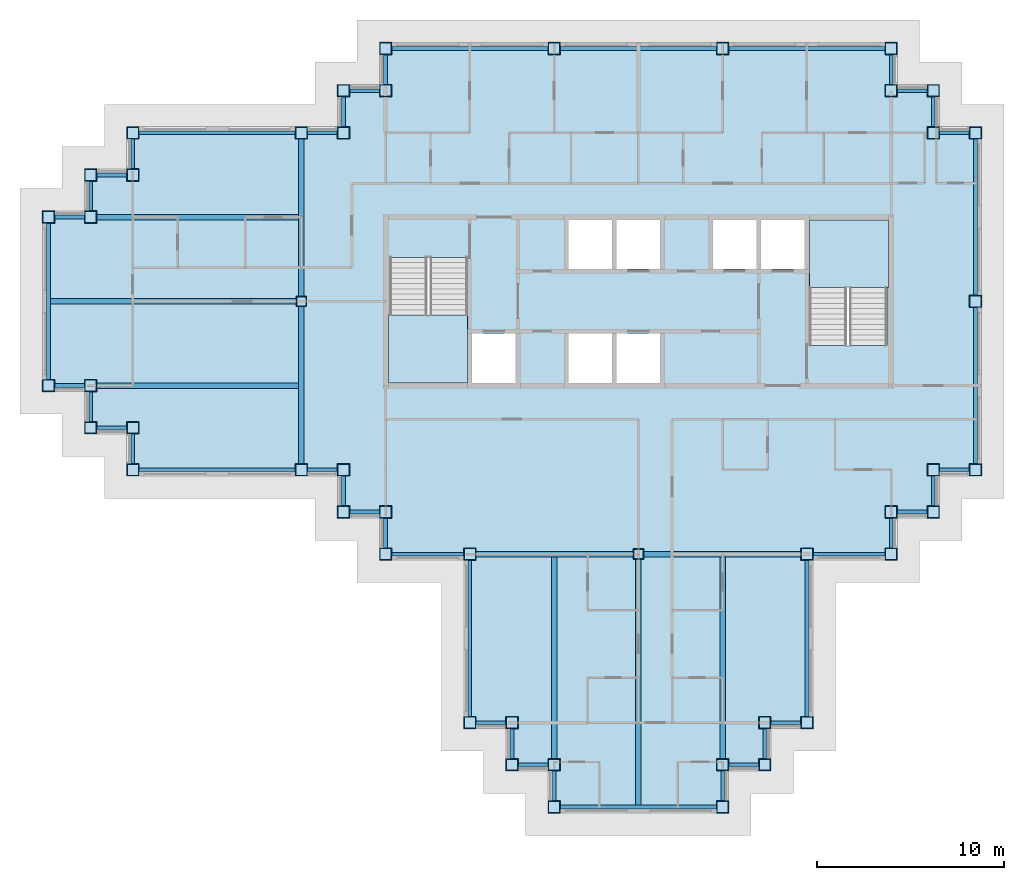
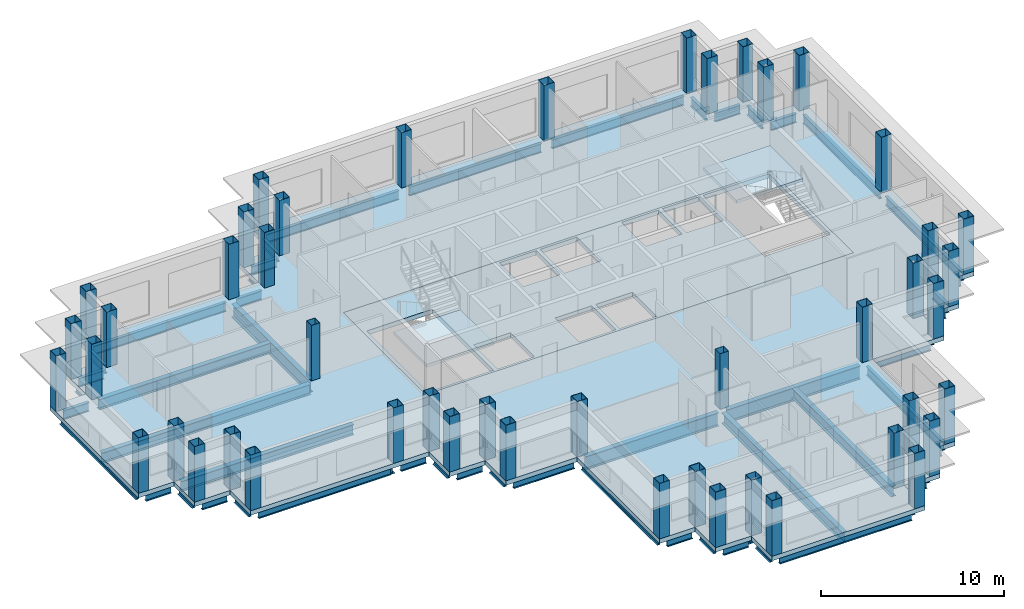
# One storey, part 1 of 12: 55 beams, 47 columns, 4 slabs, 2 elements without a shape of their own.
"""IFC4 building model written with IfcOpenShell, lengths in metres."""

import ifcopenshell
import ifcopenshell.guid

model = None  # the IFC model being written
_history = None  # IfcOwnerHistory: only IFC2X3 demands one
_inside = {}  # id of a spatial element -> (the spatial element, [elements in it])
_under = {}  # id of a project, library or spatial element -> (it, [spatial elements below it])
_declared = {}  # id of a project -> (the project, [libraries it declares])
_typed = {}  # id of a type object -> (the type object, [elements of that type])
_made_of = {}  # id of a material, layer set ... -> (it, [elements and type objects made of it])


def new_model(schema):
    """Start an empty IFC model of exactly this schema.

    Asked for "IFC4X3", IfcOpenShell would pick the latest addendum, in which some entities
    have other attributes; the version numbers below select the first issue.
    IFC2X3 requires an IfcOwnerHistory on every rooted entity: one is made here for all.
    """
    global model, _history
    if schema == "IFC4X3":
        model = ifcopenshell.file(schema_version=(4, 3, 0, 0))
    else:
        model = ifcopenshell.file(schema=schema)
    _inside.clear()
    _under.clear()
    _declared.clear()
    _typed.clear()
    _made_of.clear()
    _history = None
    if model.schema == "IFC2X3":
        org = make("IfcOrganization", Name="unknown")
        user = make(
            "IfcPersonAndOrganization",
            ThePerson=make("IfcPerson", FamilyName="unknown"),
            TheOrganization=org,
        )
        app = make(
            "IfcApplication",
            ApplicationDeveloper=org,
            Version="unknown",
            ApplicationFullName="unknown",
            ApplicationIdentifier="unknown",
        )
        _history = make(
            "IfcOwnerHistory",
            OwningUser=user,
            OwningApplication=app,
            ChangeAction="ADDED",
            CreationDate=0,
        )
    return model


def make(cls, **values):
    """One entity of the class cls with the attributes given. An attribute that is None is left unset."""
    return model.create_entity(
        cls, **{name: value for name, value in values.items() if value is not None}
    )


def rooted(cls, **values):
    """An entity with a GlobalId (a new one), such as an element, a storey or a relation."""
    return make(cls, GlobalId=ifcopenshell.guid.new(), OwnerHistory=_history, **values)


def si_unit(unit_type, name, prefix=None):
    """IfcSIUnit, for example si_unit("LENGTHUNIT", "METRE", prefix="MILLI")."""
    return make("IfcSIUnit", UnitType=unit_type, Prefix=prefix, Name=name)


def assignment(units):
    """IfcUnitAssignment: the units of a project."""
    return None if units is None else make("IfcUnitAssignment", Units=units)


def point(xyz):
    """IfcCartesianPoint."""
    return None if xyz is None else make("IfcCartesianPoint", Coordinates=xyz)


def direction(xyz):
    """IfcDirection."""
    return None if xyz is None else make("IfcDirection", DirectionRatios=xyz)


def frame(location, z_axis=None, x_axis=None):
    """IfcAxis2Placement3D, a coordinate frame: its origin and axes. An axis left out is left unset."""
    return make(
        "IfcAxis2Placement3D",
        Location=point(location),
        Axis=direction(z_axis),
        RefDirection=direction(x_axis),
    )


def frame_2d(location, x_axis=None):
    """IfcAxis2Placement2D, a coordinate frame in the plane: its origin and x axis."""
    return make(
        "IfcAxis2Placement2D", Location=point(location), RefDirection=direction(x_axis)
    )


def origin():
    """The frame at (0, 0, 0) with its axes left unset."""
    return frame((0.0, 0.0, 0.0))


def origin_2d():
    """The frame at (0, 0) in the plane with its x axis left unset."""
    return frame_2d((0.0, 0.0))


def place(relative_to, where):
    """IfcLocalPlacement: puts the frame where relative to a parent placement (None: the world)."""
    return make(
        "IfcLocalPlacement", PlacementRelTo=relative_to, RelativePlacement=where
    )


def context(
    kind, dimensions, precision=None, world=None, true_north=None, identifier=None
):
    """IfcGeometricRepresentationContext, for example the 3D "Model" context."""
    return make(
        "IfcGeometricRepresentationContext",
        ContextIdentifier=identifier,
        ContextType=kind,
        CoordinateSpaceDimension=dimensions,
        Precision=precision,
        WorldCoordinateSystem=world,
        TrueNorth=true_north,
    )


def subcontext(parent, identifier, kind, view, scale=None):
    """IfcGeometricRepresentationSubContext, for example "Body" below "Model"."""
    return make(
        "IfcGeometricRepresentationSubContext",
        ContextIdentifier=identifier,
        ContextType=kind,
        ParentContext=parent,
        TargetScale=scale,
        TargetView=view,
    )


def project(units=None, contexts=None):
    """IfcProject with its units and contexts."""
    return rooted(
        "IfcProject",
        Name="project",
        RepresentationContexts=contexts,
        UnitsInContext=assignment(units),
    )


def spatial(cls, under=None, at=None, **own):
    """A site, building, storey or space (cls), placed at a placement, below another one or the project."""
    s = rooted(cls, ObjectPlacement=at, **own)
    if under is not None:
        _under.setdefault(under.id(), (under, []))[1].append(s)
    return s


def polyline(points):
    """IfcPolyline through the points."""
    return make("IfcPolyline", Points=[point(p) for p in points])


def profile(cls, at=None, kind="AREA", **sizes):
    """A parametric profile (cls). Its sizes go by their IFC names, for example OverallWidth=200.0."""
    return make(cls, ProfileType=kind, Position=at, **sizes)


def hollow_rectangle(**sizes):
    """IfcRectangleHollowProfileDef."""
    return profile("IfcRectangleHollowProfileDef", **sizes)


def i_section(**sizes):
    """IfcIShapeProfileDef."""
    return profile("IfcIShapeProfileDef", **sizes)


def outline(outer, holes=None, kind="AREA"):
    """IfcArbitraryClosedProfileDef: a profile drawn as a closed curve; with holes, ...WithVoids."""
    if holes is None:
        return make("IfcArbitraryClosedProfileDef", ProfileType=kind, OuterCurve=outer)
    return make(
        "IfcArbitraryProfileDefWithVoids",
        ProfileType=kind,
        OuterCurve=outer,
        InnerCurves=holes,
    )


def extrude(swept, where, along, depth):
    """IfcExtrudedAreaSolid: the profile swept, set in the frame where, extruded along a direction by depth."""
    return make(
        "IfcExtrudedAreaSolid",
        SweptArea=swept,
        Position=where,
        ExtrudedDirection=direction(along),
        Depth=depth,
    )


def shape(context_of_items, identifier, shape_type, items):
    """IfcShapeRepresentation: the items that make up one representation, for example the "Body"."""
    return make(
        "IfcShapeRepresentation",
        ContextOfItems=context_of_items,
        RepresentationIdentifier=identifier,
        RepresentationType=shape_type,
        Items=items,
    )


def material(Name=None, Category=None):
    """IfcMaterial."""
    return make("IfcMaterial", Name=Name, Category=Category)


def layer(
    of_material, thickness, ventilated=None, Name=None, Category=None, Priority=None
):
    """IfcMaterialLayer: one layer of a wall or slab, of a material (None: an air gap)."""
    return make(
        "IfcMaterialLayer",
        Material=of_material,
        LayerThickness=thickness,
        IsVentilated=ventilated,
        Name=Name,
        Category=Category,
        Priority=Priority,
    )


def layer_set(layers, Name=None):
    """IfcMaterialLayerSet."""
    return make("IfcMaterialLayerSet", MaterialLayers=layers, LayerSetName=Name)


def material_profile(
    of_material, cross_section, Name=None, Category=None, Priority=None
):
    """IfcMaterialProfile: a cross section and its material."""
    return make(
        "IfcMaterialProfile",
        Name=Name,
        Material=of_material,
        Profile=cross_section,
        Priority=Priority,
        Category=Category,
    )


def profile_set(profiles, Name=None, composite=None):
    """IfcMaterialProfileSet."""
    return make(
        "IfcMaterialProfileSet",
        Name=Name,
        MaterialProfiles=profiles,
        CompositeProfile=composite,
    )


def made_of(thing, what):
    """Note that an element or type object is made of a material, layer set ...; save() writes the relation."""
    if what is not None:
        _made_of.setdefault(what.id(), (what, []))[1].append(thing)
    return thing


def type_object(cls, material=None, **own):
    """A type object (cls), such as IfcWallType, which elements share."""
    return made_of(rooted(cls, **own), material)


def element(
    cls,
    number,
    at=None,
    inside=None,
    cuts=None,
    type_object=None,
    material=None,
    context=None,
    identifier="Body",
    shape_type=None,
    held_by="IfcProductDefinitionShape",
    body=None,
    shapes=None,
    **own,
):
    """One element of the class cls, such as IfcWall. Its Tag is "e" and its number.

    at: its placement. inside: the storey or other place that contains it. cuts: it is an
    opening in that element (IfcRelVoidsElement). A single representation is given by context,
    identifier, shape_type and body (its items); several are given by shapes. held_by: the class
    of the entity that holds the representations. save() writes the other relations.
    """
    e = rooted(cls, Tag="e%d" % number, ObjectPlacement=at, **own)
    if body is not None:
        shapes = [shape(context, identifier, shape_type, body)]
    if shapes is not None:
        e.Representation = make(held_by, Representations=shapes)
    if inside is not None:
        _inside.setdefault(inside.id(), (inside, []))[1].append(e)
    if cuts is not None:
        rooted(
            "IfcRelVoidsElement", RelatingBuildingElement=cuts, RelatedOpeningElement=e
        )
    if type_object is not None:
        _typed.setdefault(type_object.id(), (type_object, []))[1].append(e)
    return made_of(e, material)


def aggregate(whole, parts):
    """IfcRelAggregates: a whole, such as a stair, and the parts it consists of."""
    return rooted("IfcRelAggregates", RelatingObject=whole, RelatedObjects=parts)


def save(model, path):
    """Write the relations noted so far, then the file.

    IfcRelAggregates (storeys below a building ...), IfcRelContainedInSpatialStructure (elements
    in a storey), IfcRelDefinesByType, IfcRelAssociatesMaterial and IfcRelDeclares: one each for
    every whole, place, type object, material and project.
    """
    for whole, parts in _under.values():
        aggregate(whole, parts)
    for where, things in _inside.values():
        rooted(
            "IfcRelContainedInSpatialStructure",
            RelatedElements=things,
            RelatingStructure=where,
        )
    for kind, things in _typed.values():
        rooted("IfcRelDefinesByType", RelatedObjects=things, RelatingType=kind)
    for what, things in _made_of.values():
        rooted("IfcRelAssociatesMaterial", RelatedObjects=things, RelatingMaterial=what)
    for by, libraries in _declared.values():
        rooted("IfcRelDeclares", RelatingContext=by, RelatedDefinitions=libraries)
    model.write(path)


model = new_model("IFC4")

# Units and contexts
model_context = context("Model", 3, precision=1e-05, world=origin(), true_north=direction((0.0, 1.0)))
body_context = subcontext(model_context, "Body", "Model", "MODEL_VIEW")
ifc_project = project(units=[si_unit("LENGTHUNIT", "METRE"), si_unit("AREAUNIT", "SQUARE_METRE"), si_unit("VOLUMEUNIT", "CUBIC_METRE"), si_unit("PLANEANGLEUNIT", "RADIAN"), si_unit("MASSUNIT", "GRAM", prefix="KILO")], contexts=[model_context])

# Site, building, storey
site_placement = place(None, origin())
site = spatial("IfcSite", under=ifc_project, at=site_placement, CompositionType="ELEMENT")
building_placement = place(site_placement, origin())
building = spatial("IfcBuilding", under=site, at=building_placement, Name="Caravel Reach Hotel and Residences", CompositionType="ELEMENT")
storey_placement = place(building_placement, frame((0.0, 0.0, 214.60009765625)))
storey = spatial("IfcBuildingStorey", under=building, at=storey_placement, Name="L54", CompositionType="ELEMENT", Elevation=214.60009765625)

# Columns
ifc_material_1 = material(Name="Concrete-filled steel tube Q390B with Concrete C60 infill", Category="concrete")
ifc_material_profile_1 = material_profile(ifc_material_1, hollow_rectangle(XDim=0.550048828125, YDim=0.550048828125, WallThickness=0.01806640625, at=origin_2d()), Name="RHS 550x550x18")
ifc_profile_set_1 = profile_set([ifc_material_profile_1], Name="Concrete-filled steel tube Q390B with Concrete C60 infill")
column_type_1 = type_object("IfcColumnType", Name="CFT 550x550 Q390B C60", PredefinedType="COLUMN", material=ifc_profile_set_1)
for number, where, z_axis, x_axis, name in (
    (1, (31.5, 13.5, 0.0), (0.0, 0.0, 1.0), (1.0, 0.0, 0.0), "C18 column"),
    (2, (13.5, 27.0, 0.0), (0.0, 0.0, 1.0), (1.0, 0.0, 0.0), "C18 column"),
):
    element("IfcColumn", number, at=place(storey_placement, frame(where, z_axis=z_axis, x_axis=x_axis)), inside=storey, type_object=column_type_1, Name=name, PredefinedType="COLUMN", context=body_context, shape_type="SweptSolid", body=[
        extrude(hollow_rectangle(XDim=0.550048828125, YDim=0.550048828125, WallThickness=0.01806640625, at=origin_2d()), origin(), (0.0, 0.0, 1.0), 3.699951171875),
    ])
ifc_material_2 = material(Name="Concrete-filled steel tube Q390B with Concrete C60 infill", Category="concrete")
ifc_material_profile_2 = material_profile(ifc_material_2, hollow_rectangle(XDim=0.64990234375, YDim=0.64990234375, WallThickness=0.02099609375, at=origin_2d()), Name="RHS 650x650x21")
ifc_profile_set_2 = profile_set([ifc_material_profile_2], Name="Concrete-filled steel tube Q390B with Concrete C60 infill")
column_type_2 = type_object("IfcColumnType", Name="CFT 650x650 Q390B C60", PredefinedType="COLUMN", material=ifc_profile_set_2)
for number, where, z_axis, x_axis, name in (
    (3, (40.5, 13.5, 0.0), (0.0, 0.0, 1.0), (1.0, 0.0, 0.0), "C15 column"),
    (4, (45.0, 13.5, 0.0), (0.0, 0.0, 1.0), (1.0, 0.0, 0.0), "C15 column"),
    (5, (45.0, 15.75, 0.0), (0.0, 0.0, 1.0), (1.0, 0.0, 0.0), "C15 column"),
    (6, (47.25, 15.75, 0.0), (0.0, 0.0, 1.0), (1.0, 0.0, 0.0), "C15 column"),
    (7, (47.25, 18.0, 0.0), (0.0, 0.0, 1.0), (1.0, 0.0, 0.0), "C15 column"),
    (8, (49.5, 18.0, 0.0), (0.0, 0.0, 1.0), (1.0, 0.0, 0.0), "C15 column"),
    (9, (49.5, 27.0, 0.0), (0.0, 0.0, 1.0), (1.0, 0.0, 0.0), "C15 column"),
    (10, (49.5, 36.0, 0.0), (0.0, 0.0, 1.0), (1.0, 0.0, 0.0), "C15 column"),
    (11, (47.25, 36.0, 0.0), (0.0, 0.0, 1.0), (1.0, 0.0, 0.0), "C15 column"),
    (12, (47.25, 38.25, 0.0), (0.0, 0.0, 1.0), (1.0, 0.0, 0.0), "C15 column"),
    (13, (45.0, 38.25, 0.0), (0.0, 0.0, 1.0), (1.0, 0.0, 0.0), "C15 column"),
    (14, (45.0, 40.5, 0.0), (0.0, 0.0, 1.0), (1.0, 0.0, 0.0), "C15 column"),
    (15, (36.0, 40.5, 0.0), (0.0, 0.0, 1.0), (1.0, 0.0, 0.0), "C15 column"),
    (16, (27.0, 40.5, 0.0), (0.0, 0.0, 1.0), (1.0, 0.0, 0.0), "C15 column"),
    (17, (18.0, 40.5, 0.0), (0.0, 0.0, 1.0), (1.0, 0.0, 0.0), "C15 column"),
    (18, (18.0, 38.25, 0.0), (0.0, 0.0, 1.0), (1.0, 0.0, 0.0), "C15 column"),
    (19, (15.75, 38.25, 0.0), (0.0, 0.0, 1.0), (1.0, 0.0, 0.0), "C15 column"),
    (20, (15.75, 36.0, 0.0), (0.0, 0.0, 1.0), (1.0, 0.0, 0.0), "C15 column"),
    (21, (13.5, 36.0, 0.0), (0.0, 0.0, 1.0), (1.0, 0.0, 0.0), "C15 column"),
    (22, (4.5, 36.0, 0.0), (0.0, 0.0, 1.0), (1.0, 0.0, 0.0), "C15 column"),
    (23, (4.5, 33.75, 0.0), (0.0, 0.0, 1.0), (1.0, 0.0, 0.0), "C15 column"),
    (24, (2.25, 33.75, 0.0), (0.0, 0.0, 1.0), (1.0, 0.0, 0.0), "C15 column"),
    (25, (2.25, 31.5, 0.0), (0.0, 0.0, 1.0), (1.0, 0.0, 0.0), "C15 column"),
    (26, (0.0, 31.5, 0.0), (0.0, 0.0, 1.0), (1.0, 0.0, 0.0), "C15 column"),
    (27, (0.0, 22.5, 0.0), (0.0, 0.0, 1.0), (1.0, 0.0, 0.0), "C15 column"),
    (28, (2.25, 22.5, 0.0), (0.0, 0.0, 1.0), (1.0, 0.0, 0.0), "C15 column"),
    (29, (2.25, 20.25, 0.0), (0.0, 0.0, 1.0), (1.0, 0.0, 0.0), "C15 column"),
    (30, (4.5, 20.25, 0.0), (0.0, 0.0, 1.0), (1.0, 0.0, 0.0), "C15 column"),
    (31, (4.5, 18.0, 0.0), (0.0, 0.0, 1.0), (1.0, 0.0, 0.0), "C15 column"),
    (32, (13.5, 18.0, 0.0), (0.0, 0.0, 1.0), (1.0, 0.0, 0.0), "C15 column"),
    (33, (15.75, 18.0, 0.0), (0.0, 0.0, 1.0), (1.0, 0.0, 0.0), "C15 column"),
    (34, (15.75, 15.75, 0.0), (0.0, 0.0, 1.0), (1.0, 0.0, 0.0), "C15 column"),
    (35, (18.0, 15.75, 0.0), (0.0, 0.0, 1.0), (1.0, 0.0, 0.0), "C15 column"),
    (36, (18.0, 13.5, 0.0), (0.0, 0.0, 1.0), (1.0, 0.0, 0.0), "C15 column"),
    (37, (22.5, 13.5, 0.0), (0.0, 0.0, 1.0), (1.0, 0.0, 0.0), "C15 column"),
    (38, (22.5, 4.5, 0.0), (0.0, 0.0, 1.0), (1.0, 0.0, 0.0), "C15 column"),
    (39, (24.75, 4.5, 0.0), (0.0, 0.0, 1.0), (1.0, 0.0, 0.0), "C15 column"),
    (40, (24.75, 2.25, 0.0), (0.0, 0.0, 1.0), (1.0, 0.0, 0.0), "C15 column"),
    (41, (27.0, 2.25, 0.0), (0.0, 0.0, 1.0), (1.0, 0.0, 0.0), "C15 column"),
    (42, (27.0, 0.0, 0.0), (0.0, 0.0, 1.0), (1.0, 0.0, 0.0), "C15 column"),
    (43, (36.0, 0.0, 0.0), (0.0, 0.0, 1.0), (1.0, 0.0, 0.0), "C15 column"),
    (44, (36.0, 2.25, 0.0), (0.0, 0.0, 1.0), (1.0, 0.0, 0.0), "C15 column"),
    (45, (38.25, 2.25, 0.0), (0.0, 0.0, 1.0), (1.0, 0.0, 0.0), "C15 column"),
    (46, (38.25, 4.5, 0.0), (0.0, 0.0, 1.0), (1.0, 0.0, 0.0), "C15 column"),
    (47, (40.5, 4.5, 0.0), (0.0, 0.0, 1.0), (1.0, 0.0, 0.0), "C15 column"),
):
    element("IfcColumn", number, at=place(storey_placement, frame(where, z_axis=z_axis, x_axis=x_axis)), inside=storey, type_object=column_type_2, Name=name, PredefinedType="COLUMN", context=body_context, shape_type="SweptSolid", body=[
        extrude(hollow_rectangle(XDim=0.64990234375, YDim=0.64990234375, WallThickness=0.02099609375, at=origin_2d()), origin(), (0.0, 0.0, 1.0), 3.699951171875),
    ])

# Beams
ifc_material_3 = material(Name="Structural steel Q355B", Category="steel")
ifc_material_profile_3 = material_profile(ifc_material_3, i_section(OverallWidth=0.300048828125, OverallDepth=0.699951171875, WebThickness=0.012939453125, FlangeThickness=0.02392578125, FilletRadius=0.01806640625, at=origin_2d()), Name="HN 700x300x13x24")
ifc_profile_set_3 = profile_set([ifc_material_profile_3], Name="Structural steel Q355B")
beam_type_1 = type_object("IfcBeamType", Name="Beam HN 700x300x13x24", PredefinedType="BEAM", material=ifc_profile_set_3)
beam_1_placement = place(storey_placement, frame((27.0, 13.39990234375, -0.650146484375), z_axis=(0.0, -1.0, 0.0), x_axis=(1.0, 0.0, 0.0)))
element("IfcBeam", 48, at=beam_1_placement, inside=storey, type_object=beam_type_1, Name="B2 HN 700x300x13x24", PredefinedType="BEAM", context=body_context, shape_type="SweptSolid", body=[
    extrude(i_section(OverallWidth=0.300048828125, OverallDepth=0.699951171875, WebThickness=0.012939453125, FlangeThickness=0.02392578125, FilletRadius=0.01806640625, at=origin_2d()), origin(), (0.0, 0.0, 1.0), 10.875),
])
beam_2_placement = place(storey_placement, frame((31.5, 13.27490234375, -0.650146484375), z_axis=(0.0, -1.0, 0.0), x_axis=(1.0, 0.0, 0.0)))
element("IfcBeam", 49, at=beam_2_placement, inside=storey, type_object=beam_type_1, Name="B2 HN 700x300x13x24", PredefinedType="BEAM", context=body_context, shape_type="SweptSolid", body=[
    extrude(i_section(OverallWidth=0.300048828125, OverallDepth=0.699951171875, WebThickness=0.012939453125, FlangeThickness=0.02392578125, FilletRadius=0.01806640625, at=origin_2d()), origin(), (0.0, 0.0, 1.0), 13.1748046875),
])
for number, where, z_axis, x_axis, name in (
    (50, (36.0, 13.39990234375, -0.650146484375), (0.0, -1.0, 0.0), (1.0, 0.0, 0.0), "B2 HN 700x300x13x24"),
    (51, (13.39990234375, 22.5, -0.650146484375), (-1.0, 0.0, 0.0), (0.0, -1.0, 0.0), "B2 HN 700x300x13x24"),
):
    element("IfcBeam", number, at=place(storey_placement, frame(where, z_axis=z_axis, x_axis=x_axis)), inside=storey, type_object=beam_type_1, Name=name, PredefinedType="BEAM", context=body_context, shape_type="SweptSolid", body=[
        extrude(i_section(OverallWidth=0.300048828125, OverallDepth=0.699951171875, WebThickness=0.012939453125, FlangeThickness=0.02392578125, FilletRadius=0.01806640625, at=origin_2d()), origin(), (0.0, 0.0, 1.0), 10.875),
    ])
beam_3_placement = place(storey_placement, frame((13.27490234375, 27.0, -0.650146484375), z_axis=(-1.0, 0.0, 0.0), x_axis=(0.0, -1.0, 0.0)))
element("IfcBeam", 52, at=beam_3_placement, inside=storey, type_object=beam_type_1, Name="B2 HN 700x300x13x24", PredefinedType="BEAM", context=body_context, shape_type="SweptSolid", body=[
    extrude(i_section(OverallWidth=0.300048828125, OverallDepth=0.699951171875, WebThickness=0.012939453125, FlangeThickness=0.02392578125, FilletRadius=0.01806640625, at=origin_2d()), origin(), (0.0, 0.0, 1.0), 13.1748046875),
])
beam_4_placement = place(storey_placement, frame((13.39990234375, 31.5, -0.650146484375), z_axis=(-1.0, 0.0, 0.0), x_axis=(0.0, -1.0, 0.0)))
element("IfcBeam", 53, at=beam_4_placement, inside=storey, type_object=beam_type_1, Name="B2 HN 700x300x13x24", PredefinedType="BEAM", context=body_context, shape_type="SweptSolid", body=[
    extrude(i_section(OverallWidth=0.300048828125, OverallDepth=0.699951171875, WebThickness=0.012939453125, FlangeThickness=0.02392578125, FilletRadius=0.01806640625, at=origin_2d()), origin(), (0.0, 0.0, 1.0), 10.875),
])
ifc_material_4 = material(Name="Structural steel Q355B", Category="steel")
ifc_material_profile_4 = material_profile(ifc_material_4, i_section(OverallWidth=0.300048828125, OverallDepth=0.89990234375, WebThickness=0.01611328125, FlangeThickness=0.028076171875, FilletRadius=0.01806640625, at=origin_2d()), Name="HN 900x300x16x28")
ifc_profile_set_4 = profile_set([ifc_material_profile_4], Name="Structural steel Q355B")
beam_type_2 = type_object("IfcBeamType", Name="Beam HN 900x300x16x28", PredefinedType="BEAM", material=ifc_profile_set_4)
for number, where, z_axis, x_axis, name in (
    (54, (22.824951171875, 13.5, -0.75), (1.0, 0.0, 0.0), (0.0, 1.0, 0.0), "B3 HN 900x300x16x28"),
    (55, (31.77490234375, 13.5, -0.75), (1.0, 0.0, 0.0), (0.0, 1.0, 0.0), "B3 HN 900x300x16x28"),
    (56, (13.5, 18.324951171875, -0.75), (0.0, 1.0, 0.0), (-1.0, 0.0, 0.0), "B3 HN 900x300x16x28"),
    (57, (13.5, 27.27490234375, -0.75), (0.0, 1.0, 0.0), (-1.0, 0.0, 0.0), "B3 HN 900x300x16x28"),
):
    element("IfcBeam", number, at=place(storey_placement, frame(where, z_axis=z_axis, x_axis=x_axis)), inside=storey, type_object=beam_type_2, Name=name, PredefinedType="BEAM", context=body_context, shape_type="SweptSolid", body=[
        extrude(i_section(OverallWidth=0.300048828125, OverallDepth=0.89990234375, WebThickness=0.01611328125, FlangeThickness=0.028076171875, FilletRadius=0.01806640625, at=origin_2d()), origin(), (0.0, 0.0, 1.0), 8.400146484375),
    ])
ifc_material_5 = material(Name="Structural steel Q355B", Category="steel")
ifc_material_profile_5 = material_profile(ifc_material_5, i_section(OverallWidth=0.199951171875, OverallDepth=0.60009765625, WebThickness=0.010986328125, FlangeThickness=0.01708984375, FilletRadius=0.012939453125, at=origin_2d()), Name="HN 600x200x11x17")
ifc_profile_set_5 = profile_set([ifc_material_profile_5], Name="Structural steel Q355B")
beam_type_3 = type_object("IfcBeamType", Name="Spandrel beam HN 600x200x11x17", PredefinedType="SPANDREL", material=ifc_profile_set_5)
beam_5_placement = place(storey_placement, frame((40.824951171875, 13.5, -0.60009765625), z_axis=(1.0, 0.0, 0.0), x_axis=(0.0, 1.0, 0.0)))
element("IfcBeam", 58, at=beam_5_placement, inside=storey, type_object=beam_type_3, Name="SP1 HN 600x200x11x17", PredefinedType="SPANDREL", context=body_context, shape_type="SweptSolid", body=[
    extrude(i_section(OverallWidth=0.199951171875, OverallDepth=0.60009765625, WebThickness=0.010986328125, FlangeThickness=0.01708984375, FilletRadius=0.012939453125, at=origin_2d()), origin(), (0.0, 0.0, 1.0), 3.85009765625),
])
for number, where, z_axis, x_axis, name in (
    (59, (45.0, 13.824951171875, -0.60009765625), (0.0, 1.0, 0.0), (-1.0, 0.0, 0.0), "SP1 HN 600x200x11x17"),
    (60, (45.324951171875, 15.75, -0.60009765625), (1.0, 0.0, 0.0), (0.0, 1.0, 0.0), "SP1 HN 600x200x11x17"),
    (61, (47.25, 16.074951171875, -0.60009765625), (0.0, 1.0, 0.0), (-1.0, 0.0, 0.0), "SP1 HN 600x200x11x17"),
    (62, (47.574951171875, 18.0, -0.60009765625), (1.0, 0.0, 0.0), (0.0, 1.0, 0.0), "SP1 HN 600x200x11x17"),
):
    element("IfcBeam", number, at=place(storey_placement, frame(where, z_axis=z_axis, x_axis=x_axis)), inside=storey, type_object=beam_type_3, Name=name, PredefinedType="SPANDREL", context=body_context, shape_type="SweptSolid", body=[
        extrude(i_section(OverallWidth=0.199951171875, OverallDepth=0.60009765625, WebThickness=0.010986328125, FlangeThickness=0.01708984375, FilletRadius=0.012939453125, at=origin_2d()), origin(), (0.0, 0.0, 1.0), 1.60009765625),
    ])
for number, where, z_axis, x_axis, name in (
    (63, (49.5, 18.324951171875, -0.60009765625), (0.0, 1.0, 0.0), (-1.0, 0.0, 0.0), "SP1 HN 600x200x11x17"),
    (64, (49.5, 27.324951171875, -0.60009765625), (0.0, 1.0, 0.0), (-1.0, 0.0, 0.0), "SP1 HN 600x200x11x17"),
):
    element("IfcBeam", number, at=place(storey_placement, frame(where, z_axis=z_axis, x_axis=x_axis)), inside=storey, type_object=beam_type_3, Name=name, PredefinedType="SPANDREL", context=body_context, shape_type="SweptSolid", body=[
        extrude(i_section(OverallWidth=0.199951171875, OverallDepth=0.60009765625, WebThickness=0.010986328125, FlangeThickness=0.01708984375, FilletRadius=0.012939453125, at=origin_2d()), origin(), (0.0, 0.0, 1.0), 8.35009765625),
    ])
for number, where, z_axis, x_axis, name in (
    (65, (49.175048828125, 36.0, -0.60009765625), (-1.0, 0.0, 0.0), (0.0, -1.0, 0.0), "SP1 HN 600x200x11x17"),
    (66, (47.25, 36.324951171875, -0.60009765625), (0.0, 1.0, 0.0), (-1.0, 0.0, 0.0), "SP1 HN 600x200x11x17"),
    (67, (46.925048828125, 38.25, -0.60009765625), (-1.0, 0.0, 0.0), (0.0, -1.0, 0.0), "SP1 HN 600x200x11x17"),
    (68, (45.0, 38.574951171875, -0.60009765625), (0.0, 1.0, 0.0), (-1.0, 0.0, 0.0), "SP1 HN 600x200x11x17"),
):
    element("IfcBeam", number, at=place(storey_placement, frame(where, z_axis=z_axis, x_axis=x_axis)), inside=storey, type_object=beam_type_3, Name=name, PredefinedType="SPANDREL", context=body_context, shape_type="SweptSolid", body=[
        extrude(i_section(OverallWidth=0.199951171875, OverallDepth=0.60009765625, WebThickness=0.010986328125, FlangeThickness=0.01708984375, FilletRadius=0.012939453125, at=origin_2d()), origin(), (0.0, 0.0, 1.0), 1.60009765625),
    ])
for number, where, z_axis, x_axis, name in (
    (69, (44.675048828125, 40.5, -0.60009765625), (-1.0, 0.0, 0.0), (0.0, -1.0, 0.0), "SP1 HN 600x200x11x17"),
    (70, (35.675048828125, 40.5, -0.60009765625), (-1.0, 0.0, 0.0), (0.0, -1.0, 0.0), "SP1 HN 600x200x11x17"),
    (71, (26.675048828125, 40.5, -0.60009765625), (-1.0, 0.0, 0.0), (0.0, -1.0, 0.0), "SP1 HN 600x200x11x17"),
):
    element("IfcBeam", number, at=place(storey_placement, frame(where, z_axis=z_axis, x_axis=x_axis)), inside=storey, type_object=beam_type_3, Name=name, PredefinedType="SPANDREL", context=body_context, shape_type="SweptSolid", body=[
        extrude(i_section(OverallWidth=0.199951171875, OverallDepth=0.60009765625, WebThickness=0.010986328125, FlangeThickness=0.01708984375, FilletRadius=0.012939453125, at=origin_2d()), origin(), (0.0, 0.0, 1.0), 8.35009765625),
    ])
for number, where, z_axis, x_axis, name in (
    (72, (18.0, 40.175048828125, -0.60009765625), (0.0, -1.0, 0.0), (1.0, 0.0, 0.0), "SP1 HN 600x200x11x17"),
    (73, (17.675048828125, 38.25, -0.60009765625), (-1.0, 0.0, 0.0), (0.0, -1.0, 0.0), "SP1 HN 600x200x11x17"),
    (74, (15.75, 37.925048828125, -0.60009765625), (0.0, -1.0, 0.0), (1.0, 0.0, 0.0), "SP1 HN 600x200x11x17"),
    (75, (15.425048828125, 36.0, -0.60009765625), (-1.0, 0.0, 0.0), (0.0, -1.0, 0.0), "SP1 HN 600x200x11x17"),
):
    element("IfcBeam", number, at=place(storey_placement, frame(where, z_axis=z_axis, x_axis=x_axis)), inside=storey, type_object=beam_type_3, Name=name, PredefinedType="SPANDREL", context=body_context, shape_type="SweptSolid", body=[
        extrude(i_section(OverallWidth=0.199951171875, OverallDepth=0.60009765625, WebThickness=0.010986328125, FlangeThickness=0.01708984375, FilletRadius=0.012939453125, at=origin_2d()), origin(), (0.0, 0.0, 1.0), 1.60009765625),
    ])
beam_6_placement = place(storey_placement, frame((13.175048828125, 36.0, -0.60009765625), z_axis=(-1.0, 0.0, 0.0), x_axis=(0.0, -1.0, 0.0)))
element("IfcBeam", 76, at=beam_6_placement, inside=storey, type_object=beam_type_3, Name="SP1 HN 600x200x11x17", PredefinedType="SPANDREL", context=body_context, shape_type="SweptSolid", body=[
    extrude(i_section(OverallWidth=0.199951171875, OverallDepth=0.60009765625, WebThickness=0.010986328125, FlangeThickness=0.01708984375, FilletRadius=0.012939453125, at=origin_2d()), origin(), (0.0, 0.0, 1.0), 8.35009765625),
])
for number, where, z_axis, x_axis, name in (
    (77, (4.5, 35.675048828125, -0.60009765625), (0.0, -1.0, 0.0), (1.0, 0.0, 0.0), "SP1 HN 600x200x11x17"),
    (78, (4.175048828125, 33.75, -0.60009765625), (-1.0, 0.0, 0.0), (0.0, -1.0, 0.0), "SP1 HN 600x200x11x17"),
    (79, (2.25, 33.425048828125, -0.60009765625), (0.0, -1.0, 0.0), (1.0, 0.0, 0.0), "SP1 HN 600x200x11x17"),
    (80, (1.925048828125, 31.5, -0.60009765625), (-1.0, 0.0, 0.0), (0.0, -1.0, 0.0), "SP1 HN 600x200x11x17"),
):
    element("IfcBeam", number, at=place(storey_placement, frame(where, z_axis=z_axis, x_axis=x_axis)), inside=storey, type_object=beam_type_3, Name=name, PredefinedType="SPANDREL", context=body_context, shape_type="SweptSolid", body=[
        extrude(i_section(OverallWidth=0.199951171875, OverallDepth=0.60009765625, WebThickness=0.010986328125, FlangeThickness=0.01708984375, FilletRadius=0.012939453125, at=origin_2d()), origin(), (0.0, 0.0, 1.0), 1.60009765625),
    ])
beam_7_placement = place(storey_placement, frame((0.0, 31.175048828125, -0.60009765625), z_axis=(0.0, -1.0, 0.0), x_axis=(1.0, 0.0, 0.0)))
element("IfcBeam", 81, at=beam_7_placement, inside=storey, type_object=beam_type_3, Name="SP1 HN 600x200x11x17", PredefinedType="SPANDREL", context=body_context, shape_type="SweptSolid", body=[
    extrude(i_section(OverallWidth=0.199951171875, OverallDepth=0.60009765625, WebThickness=0.010986328125, FlangeThickness=0.01708984375, FilletRadius=0.012939453125, at=origin_2d()), origin(), (0.0, 0.0, 1.0), 8.35009765625),
])
for number, where, z_axis, x_axis, name in (
    (82, (0.324951171875, 22.5, -0.60009765625), (1.0, 0.0, 0.0), (0.0, 1.0, 0.0), "SP1 HN 600x200x11x17"),
    (83, (2.25, 22.175048828125, -0.60009765625), (0.0, -1.0, 0.0), (1.0, 0.0, 0.0), "SP1 HN 600x200x11x17"),
    (84, (2.574951171875, 20.25, -0.60009765625), (1.0, 0.0, 0.0), (0.0, 1.0, 0.0), "SP1 HN 600x200x11x17"),
    (85, (4.5, 19.925048828125, -0.60009765625), (0.0, -1.0, 0.0), (1.0, 0.0, 0.0), "SP1 HN 600x200x11x17"),
):
    element("IfcBeam", number, at=place(storey_placement, frame(where, z_axis=z_axis, x_axis=x_axis)), inside=storey, type_object=beam_type_3, Name=name, PredefinedType="SPANDREL", context=body_context, shape_type="SweptSolid", body=[
        extrude(i_section(OverallWidth=0.199951171875, OverallDepth=0.60009765625, WebThickness=0.010986328125, FlangeThickness=0.01708984375, FilletRadius=0.012939453125, at=origin_2d()), origin(), (0.0, 0.0, 1.0), 1.60009765625),
    ])
beam_8_placement = place(storey_placement, frame((4.824951171875, 18.0, -0.60009765625), z_axis=(1.0, 0.0, 0.0), x_axis=(0.0, 1.0, 0.0)))
element("IfcBeam", 86, at=beam_8_placement, inside=storey, type_object=beam_type_3, Name="SP1 HN 600x200x11x17", PredefinedType="SPANDREL", context=body_context, shape_type="SweptSolid", body=[
    extrude(i_section(OverallWidth=0.199951171875, OverallDepth=0.60009765625, WebThickness=0.010986328125, FlangeThickness=0.01708984375, FilletRadius=0.012939453125, at=origin_2d()), origin(), (0.0, 0.0, 1.0), 8.35009765625),
])
for number, where, z_axis, x_axis, name in (
    (87, (13.824951171875, 18.0, -0.60009765625), (1.0, 0.0, 0.0), (0.0, 1.0, 0.0), "SP1 HN 600x200x11x17"),
    (88, (15.75, 17.675048828125, -0.60009765625), (0.0, -1.0, 0.0), (1.0, 0.0, 0.0), "SP1 HN 600x200x11x17"),
    (89, (16.074951171875, 15.75, -0.60009765625), (1.0, 0.0, 0.0), (0.0, 1.0, 0.0), "SP1 HN 600x200x11x17"),
    (90, (18.0, 15.425048828125, -0.60009765625), (0.0, -1.0, 0.0), (1.0, 0.0, 0.0), "SP1 HN 600x200x11x17"),
):
    element("IfcBeam", number, at=place(storey_placement, frame(where, z_axis=z_axis, x_axis=x_axis)), inside=storey, type_object=beam_type_3, Name=name, PredefinedType="SPANDREL", context=body_context, shape_type="SweptSolid", body=[
        extrude(i_section(OverallWidth=0.199951171875, OverallDepth=0.60009765625, WebThickness=0.010986328125, FlangeThickness=0.01708984375, FilletRadius=0.012939453125, at=origin_2d()), origin(), (0.0, 0.0, 1.0), 1.60009765625),
    ])
beam_9_placement = place(storey_placement, frame((18.324951171875, 13.5, -0.60009765625), z_axis=(1.0, 0.0, 0.0), x_axis=(0.0, 1.0, 0.0)))
element("IfcBeam", 91, at=beam_9_placement, inside=storey, type_object=beam_type_3, Name="SP1 HN 600x200x11x17", PredefinedType="SPANDREL", context=body_context, shape_type="SweptSolid", body=[
    extrude(i_section(OverallWidth=0.199951171875, OverallDepth=0.60009765625, WebThickness=0.010986328125, FlangeThickness=0.01708984375, FilletRadius=0.012939453125, at=origin_2d()), origin(), (0.0, 0.0, 1.0), 3.85009765625),
])
beam_10_placement = place(storey_placement, frame((22.5, 13.175048828125, -0.60009765625), z_axis=(0.0, -1.0, 0.0), x_axis=(1.0, 0.0, 0.0)))
element("IfcBeam", 92, at=beam_10_placement, inside=storey, type_object=beam_type_3, Name="SP1 HN 600x200x11x17", PredefinedType="SPANDREL", context=body_context, shape_type="SweptSolid", body=[
    extrude(i_section(OverallWidth=0.199951171875, OverallDepth=0.60009765625, WebThickness=0.010986328125, FlangeThickness=0.01708984375, FilletRadius=0.012939453125, at=origin_2d()), origin(), (0.0, 0.0, 1.0), 8.35009765625),
])
for number, where, z_axis, x_axis, name in (
    (93, (22.824951171875, 4.5, -0.60009765625), (1.0, 0.0, 0.0), (0.0, 1.0, 0.0), "SP1 HN 600x200x11x17"),
    (94, (24.75, 4.175048828125, -0.60009765625), (0.0, -1.0, 0.0), (1.0, 0.0, 0.0), "SP1 HN 600x200x11x17"),
    (95, (25.074951171875, 2.25, -0.60009765625), (1.0, 0.0, 0.0), (0.0, 1.0, 0.0), "SP1 HN 600x200x11x17"),
    (96, (27.0, 1.925048828125, -0.60009765625), (0.0, -1.0, 0.0), (1.0, 0.0, 0.0), "SP1 HN 600x200x11x17"),
):
    element("IfcBeam", number, at=place(storey_placement, frame(where, z_axis=z_axis, x_axis=x_axis)), inside=storey, type_object=beam_type_3, Name=name, PredefinedType="SPANDREL", context=body_context, shape_type="SweptSolid", body=[
        extrude(i_section(OverallWidth=0.199951171875, OverallDepth=0.60009765625, WebThickness=0.010986328125, FlangeThickness=0.01708984375, FilletRadius=0.012939453125, at=origin_2d()), origin(), (0.0, 0.0, 1.0), 1.60009765625),
    ])
beam_11_placement = place(storey_placement, frame((27.324951171875, 0.0, -0.60009765625), z_axis=(1.0, 0.0, 0.0), x_axis=(0.0, 1.0, 0.0)))
element("IfcBeam", 97, at=beam_11_placement, inside=storey, type_object=beam_type_3, Name="SP1 HN 600x200x11x17", PredefinedType="SPANDREL", context=body_context, shape_type="SweptSolid", body=[
    extrude(i_section(OverallWidth=0.199951171875, OverallDepth=0.60009765625, WebThickness=0.010986328125, FlangeThickness=0.01708984375, FilletRadius=0.012939453125, at=origin_2d()), origin(), (0.0, 0.0, 1.0), 8.35009765625),
])
for number, where, z_axis, x_axis, name in (
    (98, (36.0, 0.324951171875, -0.60009765625), (0.0, 1.0, 0.0), (-1.0, 0.0, 0.0), "SP1 HN 600x200x11x17"),
    (99, (36.324951171875, 2.25, -0.60009765625), (1.0, 0.0, 0.0), (0.0, 1.0, 0.0), "SP1 HN 600x200x11x17"),
    (100, (38.25, 2.574951171875, -0.60009765625), (0.0, 1.0, 0.0), (-1.0, 0.0, 0.0), "SP1 HN 600x200x11x17"),
    (101, (38.574951171875, 4.5, -0.60009765625), (1.0, 0.0, 0.0), (0.0, 1.0, 0.0), "SP1 HN 600x200x11x17"),
):
    element("IfcBeam", number, at=place(storey_placement, frame(where, z_axis=z_axis, x_axis=x_axis)), inside=storey, type_object=beam_type_3, Name=name, PredefinedType="SPANDREL", context=body_context, shape_type="SweptSolid", body=[
        extrude(i_section(OverallWidth=0.199951171875, OverallDepth=0.60009765625, WebThickness=0.010986328125, FlangeThickness=0.01708984375, FilletRadius=0.012939453125, at=origin_2d()), origin(), (0.0, 0.0, 1.0), 1.60009765625),
    ])
beam_12_placement = place(storey_placement, frame((40.5, 4.824951171875, -0.60009765625), z_axis=(0.0, 1.0, 0.0), x_axis=(-1.0, 0.0, 0.0)))
element("IfcBeam", 102, at=beam_12_placement, inside=storey, type_object=beam_type_3, Name="SP1 HN 600x200x11x17", PredefinedType="SPANDREL", context=body_context, shape_type="SweptSolid", body=[
    extrude(i_section(OverallWidth=0.199951171875, OverallDepth=0.60009765625, WebThickness=0.010986328125, FlangeThickness=0.01708984375, FilletRadius=0.012939453125, at=origin_2d()), origin(), (0.0, 0.0, 1.0), 8.35009765625),
])

# Slab
ifc_material_6 = material(Name="Concrete C40", Category="concrete")
ifc_layer_1 = layer(ifc_material_6, 0.300048828125)
ifc_layer_set_1 = layer_set([ifc_layer_1], Name="Core floor slab 300 mm")
slab_type_1 = type_object("IfcSlabType", Name="Core floor slab 300 mm", PredefinedType="FLOOR", material=ifc_layer_set_1)
slab_1_placement = place(storey_placement, frame((0.0, 0.0, -0.300048828125)))
element("IfcSlab", 103, at=slab_1_placement, inside=storey, type_object=slab_type_1, Name="L54 core floor", PredefinedType="FLOOR", context=body_context, shape_type="SweptSolid", body=[
    extrude(outline(polyline([(18.0, 31.5), (45.0, 31.5), (45.0, 22.5), (18.0, 22.5), (18.0, 31.5)]), holes=[polyline([(22.625, 25.27490234375), (22.625, 22.64990234375), (24.9462890625, 22.64990234375), (24.9462890625, 25.27490234375), (22.625, 25.27490234375)]), polyline([(27.767822265625, 25.27490234375), (27.767822265625, 22.64990234375), (30.08935546875, 22.64990234375), (30.08935546875, 25.27490234375), (27.767822265625, 25.27490234375)]), polyline([(30.33935546875, 25.27490234375), (30.33935546875, 22.64990234375), (32.66064453125, 22.64990234375), (32.66064453125, 25.27490234375), (30.33935546875, 25.27490234375)]), polyline([(22.375, 22.64990234375), (22.375, 29.35009765625), (18.22509765625, 29.35009765625), (18.22509765625, 22.64990234375), (22.375, 22.64990234375)]), polyline([(40.625, 31.35009765625), (40.625, 24.64990234375), (44.77490234375, 24.64990234375), (44.77490234375, 31.35009765625), (40.625, 31.35009765625)]), polyline([(27.767822265625, 31.35009765625), (27.767822265625, 28.72509765625), (30.08935546875, 28.72509765625), (30.08935546875, 31.35009765625), (27.767822265625, 31.35009765625)]), polyline([(30.33935546875, 31.35009765625), (30.33935546875, 28.72509765625), (32.66064453125, 28.72509765625), (32.66064453125, 31.35009765625), (30.33935546875, 31.35009765625)]), polyline([(37.8037109375, 31.35009765625), (35.482177734375, 31.35009765625), (35.482177734375, 28.72509765625), (37.8037109375, 28.72509765625), (37.8037109375, 31.35009765625)]), polyline([(40.375, 31.35009765625), (38.0537109375, 31.35009765625), (38.0537109375, 28.72509765625), (40.375, 28.72509765625), (40.375, 31.35009765625)])]), origin(), (0.0, 0.0, 1.0), 0.300048828125),
])

# Stair, slab
ifc_material_7 = material(Name="Concrete C40", Category="concrete")
stair_type = type_object("IfcStairType", Name="Core stair", PredefinedType="HALF_TURN_STAIR", material=ifc_material_7)
stair_1_placement = place(storey_placement, origin())
stair_1 = element("IfcStair", 104, at=stair_1_placement, inside=storey, type_object=stair_type, Name="L54 Exit stair A", PredefinedType="HALF_TURN_STAIR")
ifc_material_8 = material(Name="Concrete C40", Category="concrete")
ifc_layer_2 = layer(ifc_material_8, 0.199951171875)
ifc_layer_set_2 = layer_set([ifc_layer_2], Name="Core stair landing")
slab_type_2 = type_object("IfcSlabType", Name="Core stair landing", PredefinedType="LANDING", material=ifc_layer_set_2)
slab_2_placement = place(storey_placement, frame((0.0, 0.0, 1.64990234375)))
slab_2 = element("IfcSlab", 105, at=slab_2_placement, type_object=slab_type_2, Name="ST-A landing 1", PredefinedType="LANDING", context=body_context, shape_type="SweptSolid", body=[
    extrude(outline(polyline([(18.14990234375, 26.27001953125), (18.14990234375, 22.64990234375), (22.375, 22.64990234375), (22.375, 26.27001953125), (18.14990234375, 26.27001953125)])), origin(), (0.0, 0.0, 1.0), 0.199951171875),
])
aggregate(stair_1, [slab_2])

stair_2_placement = place(storey_placement, origin())
stair_2 = element("IfcStair", 106, at=stair_2_placement, inside=storey, type_object=stair_type, Name="L54 Exit stair B", PredefinedType="HALF_TURN_STAIR")
slab_3_placement = place(storey_placement, frame((0.0, 0.0, 1.64990234375)))
slab_3 = element("IfcSlab", 107, at=slab_3_placement, type_object=slab_type_2, Name="ST-B landing 1", PredefinedType="LANDING", context=body_context, shape_type="SweptSolid", body=[
    extrude(outline(polyline([(44.85009765625, 27.72998046875), (44.85009765625, 31.35009765625), (40.625, 31.35009765625), (40.625, 27.72998046875), (44.85009765625, 27.72998046875)])), origin(), (0.0, 0.0, 1.0), 0.199951171875),
])
aggregate(stair_2, [slab_3])

# Slab
ifc_material_9 = material(Name="Concrete C40 post-tensioned", Category="concrete")
ifc_layer_3 = layer(ifc_material_9, 0.300048828125)
ifc_layer_set_3 = layer_set([ifc_layer_3], Name="Floor slab 300")
slab_type_3 = type_object("IfcSlabType", Name="Floor slab 300", PredefinedType="FLOOR", material=ifc_layer_set_3)
slab_4_placement = place(storey_placement, frame((0.0, 0.0, -0.300048828125)))
element("IfcSlab", 108, at=slab_4_placement, inside=storey, type_object=slab_type_3, Name="S2 slab L54", PredefinedType="FLOOR", context=body_context, shape_type="SweptSolid", body=[
    extrude(outline(polyline([(38.574951171875, 4.175048828125), (38.574951171875, 1.925048828125), (36.324951171875, 1.925048828125), (36.324951171875, -0.324951171875), (26.675048828125, -0.324951171875), (26.675048828125, 1.925048828125), (24.425048828125, 1.925048828125), (24.425048828125, 4.175048828125), (22.175048828125, 4.175048828125), (22.175048828125, 13.175048828125), (17.675048828125, 13.175048828125), (17.675048828125, 15.425048828125), (15.425048828125, 15.425048828125), (15.425048828125, 17.675048828125), (4.175048828125, 17.675048828125), (4.175048828125, 19.925048828125), (1.925048828125, 19.925048828125), (1.925048828125, 22.175048828125), (-0.324951171875, 22.175048828125), (-0.324951171875, 31.824951171875), (1.925048828125, 31.824951171875), (1.925048828125, 34.074951171875), (4.175048828125, 34.074951171875), (4.175048828125, 36.324951171875), (15.425048828125, 36.324951171875), (15.425048828125, 38.574951171875), (17.675048828125, 38.574951171875), (17.675048828125, 40.824951171875), (45.324951171875, 40.824951171875), (45.324951171875, 38.574951171875), (47.574951171875, 38.574951171875), (47.574951171875, 36.324951171875), (49.824951171875, 36.324951171875), (49.824951171875, 17.675048828125), (47.574951171875, 17.675048828125), (47.574951171875, 15.425048828125), (45.324951171875, 15.425048828125), (45.324951171875, 13.175048828125), (40.824951171875, 13.175048828125), (40.824951171875, 4.175048828125), (38.574951171875, 4.175048828125)]), holes=[polyline([(45.0, 31.5), (18.0, 31.5), (18.0, 22.5), (45.0, 22.5), (45.0, 31.5)])]), origin(), (0.0, 0.0, 1.0), 0.300048828125),
])

save(model, "model.ifc")
